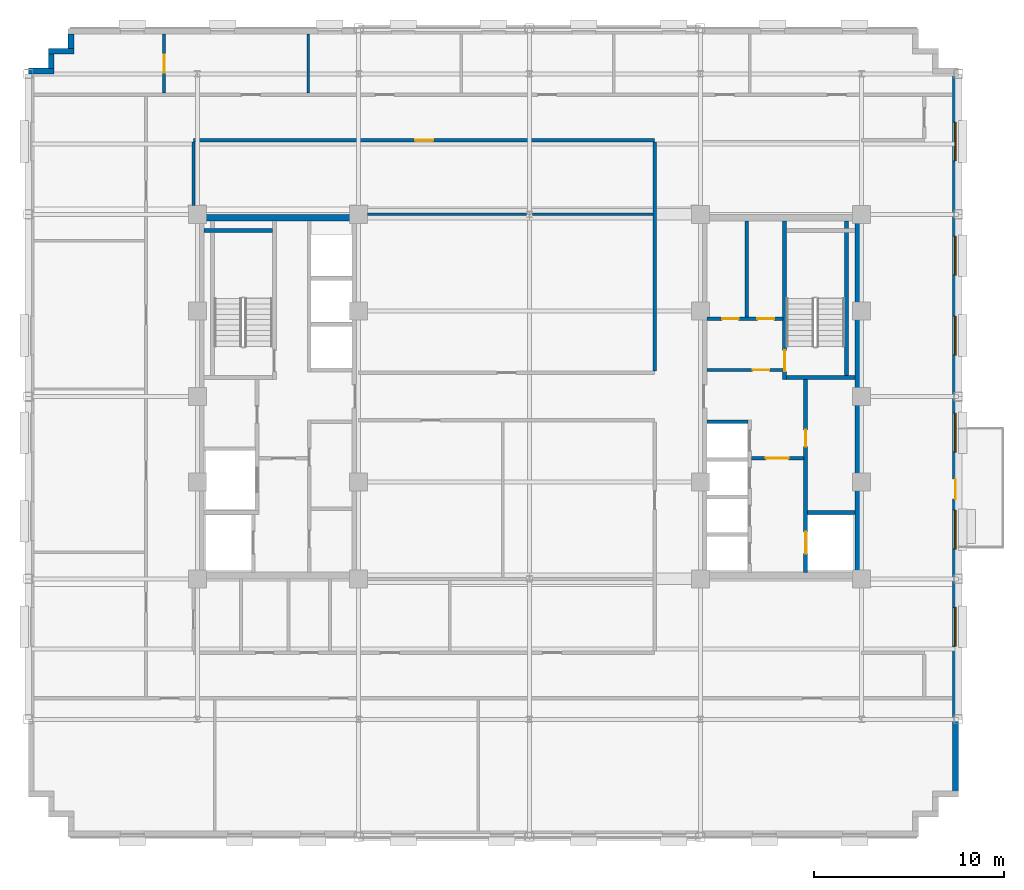
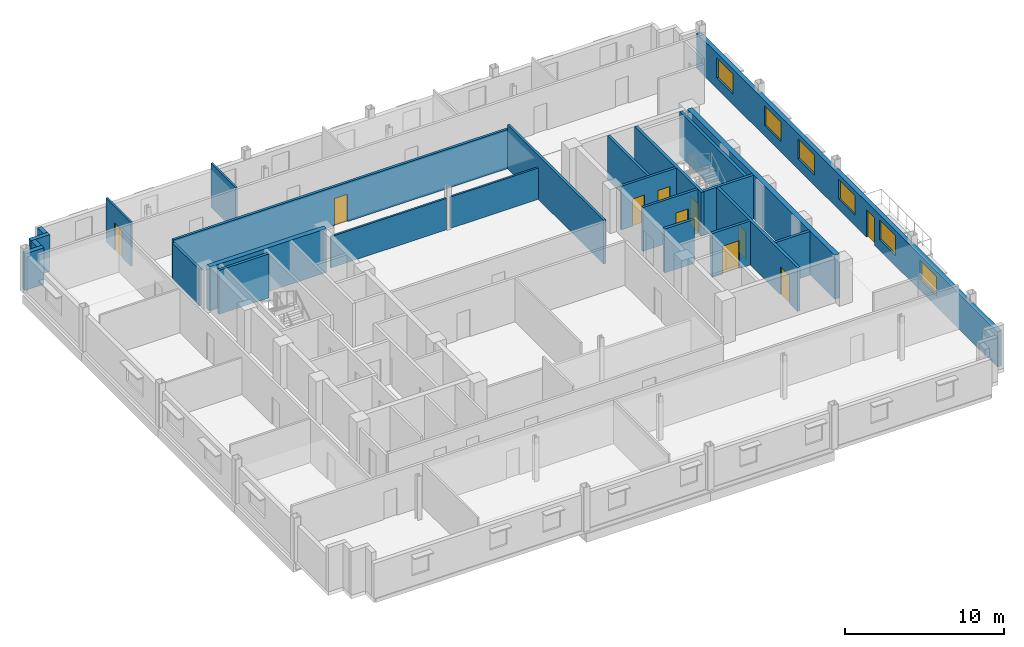
# One storey, part 9 of 15: 25 walls, 10 doors, 6 windows, 16 openings.
"""IFC4 building model written with IfcOpenShell, lengths in metres."""

from ifc_helpers import new_model, si_unit, direction, frame, frame_2d, origin, place, context, subcontext, project, spatial, rectangle, extrude, source, transform, mapped, material, layer, layer_set, type_object, type_shapes, element, fill, save


model = new_model("IFC4")

# Units and contexts
model_context = context("Model", 3, precision=1e-05, world=origin(), true_north=direction((0.0, 1.0)))
body_context = subcontext(model_context, "Body", "Model", "MODEL_VIEW")
ifc_project = project(units=[si_unit("LENGTHUNIT", "METRE"), si_unit("AREAUNIT", "SQUARE_METRE"), si_unit("VOLUMEUNIT", "CUBIC_METRE"), si_unit("PLANEANGLEUNIT", "RADIAN"), si_unit("MASSUNIT", "GRAM", prefix="KILO")], contexts=[model_context])

# Site, building, storey
site_placement = place(None, origin())
site = spatial("IfcSite", under=ifc_project, at=site_placement, CompositionType="ELEMENT")
building_placement = place(site_placement, origin())
building = spatial("IfcBuilding", under=site, at=building_placement, Name="Nuvemarco Arch Tower", CompositionType="ELEMENT")
storey_placement = place(building_placement, frame((0.0, 0.0, 201.85009765625)))
storey = spatial("IfcBuildingStorey", under=building, at=storey_placement, Name="L53", CompositionType="ELEMENT", Elevation=201.85009765625)

# Wall, openings, door, windows
ifc_material_1 = material(Name="Precast concrete C45/55", Category="concrete")
ifc_layer_1 = layer(ifc_material_1, 0.31005859375, Name="EW-UPP-310")
ifc_layer_set_1 = layer_set([ifc_layer_1], Name="Precast concrete C45/55")
wall_type_1 = type_object("IfcWallType", Name="EW-UPP-310", PredefinedType="STANDARD", material=ifc_layer_set_1)
wall_1_placement = place(storey_placement, frame((22.445068359375, -20.7939453125, 0.0), z_axis=(0.0, 0.0, 1.0), x_axis=(0.0, 1.0, 0.0)))
wall_1 = element("IfcWall", 1, at=wall_1_placement, inside=storey, type_object=wall_type_1, Name="L53 exterior precast facade wall 6", PredefinedType="STANDARD", context=body_context, shape_type="SweptSolid", body=[
    extrude(rectangle(XDim=37.787841796875, YDim=0.31005859375, at=frame_2d((18.89404296875, 0.0))), origin(), (0.0, 0.0, 1.0), 2.704833984375),
])
opening_1_placement = place(wall_1_placement, frame((16.444091796875, 0.0, 0.0), z_axis=(0.0, 0.0, 1.0), x_axis=(-1.0, 0.0, 0.0)))
opening_1 = element("IfcOpeningElement", 2, at=opening_1_placement, cuts=wall_1, Name="Opening ED-5", PredefinedType="OPENING", context=body_context, shape_type="SweptSolid", body=[
    extrude(rectangle(XDim=1.050048828125, YDim=2.10009765625, at=frame_2d((0.52490234375, 1.050048828125))), frame((0.0, 0.1650390625, 0.0), z_axis=(0.0, -1.0, 0.0), x_axis=(1.0, 0.0, 0.0)), (0.0, 0.0, 1.0), 0.330078125),
])
opening_2_placement = place(wall_1_placement, frame((7.643798828125, 0.0, 0.800048828125)))
opening_2 = element("IfcOpeningElement", 3, at=opening_2_placement, cuts=wall_1, Name="Opening WN-12", PredefinedType="OPENING", context=body_context, shape_type="SweptSolid", body=[
    extrude(rectangle(XDim=2.050048828125, YDim=1.52001953125, at=frame_2d((1.02490234375, 0.760009765625))), frame((0.0, 0.1650390625, 0.0), z_axis=(0.0, -1.0, 0.0), x_axis=(1.0, 0.0, 0.0)), (0.0, 0.0, 1.0), 0.330078125),
])
opening_3_placement = place(wall_1_placement, frame((12.75634765625, 0.0, 0.800048828125)))
opening_3 = element("IfcOpeningElement", 4, at=opening_3_placement, cuts=wall_1, Name="Opening WN-12", PredefinedType="OPENING", context=body_context, shape_type="SweptSolid", body=[
    extrude(rectangle(XDim=2.050048828125, YDim=1.52001953125, at=frame_2d((1.02490234375, 0.760009765625))), frame((0.0, 0.1650390625, 0.0), z_axis=(0.0, -1.0, 0.0), x_axis=(1.0, 0.0, 0.0)), (0.0, 0.0, 1.0), 0.330078125),
])
opening_4_placement = place(wall_1_placement, frame((17.868896484375, 0.0, 0.800048828125)))
opening_4 = element("IfcOpeningElement", 5, at=opening_4_placement, cuts=wall_1, Name="Opening WN-12", PredefinedType="OPENING", context=body_context, shape_type="SweptSolid", body=[
    extrude(rectangle(XDim=2.050048828125, YDim=1.52001953125, at=frame_2d((1.02490234375, 0.760009765625))), frame((0.0, 0.1650390625, 0.0), z_axis=(0.0, -1.0, 0.0), x_axis=(1.0, 0.0, 0.0)), (0.0, 0.0, 1.0), 0.330078125),
])
opening_5_placement = place(wall_1_placement, frame((22.981689453125, 0.0, 0.800048828125)))
opening_5 = element("IfcOpeningElement", 6, at=opening_5_placement, cuts=wall_1, Name="Opening WN-12", PredefinedType="OPENING", context=body_context, shape_type="SweptSolid", body=[
    extrude(rectangle(XDim=2.050048828125, YDim=1.52001953125, at=frame_2d((1.02490234375, 0.760009765625))), frame((0.0, 0.1650390625, 0.0), z_axis=(0.0, -1.0, 0.0), x_axis=(1.0, 0.0, 0.0)), (0.0, 0.0, 1.0), 0.330078125),
])
opening_6_placement = place(wall_1_placement, frame((27.194091796875, 0.0, 0.800048828125)))
opening_6 = element("IfcOpeningElement", 7, at=opening_6_placement, cuts=wall_1, Name="Opening WN-12", PredefinedType="OPENING", context=body_context, shape_type="SweptSolid", body=[
    extrude(rectangle(XDim=2.050048828125, YDim=1.52001953125, at=frame_2d((1.02490234375, 0.760009765625))), frame((0.0, 0.1650390625, 0.0), z_axis=(0.0, -1.0, 0.0), x_axis=(1.0, 0.0, 0.0)), (0.0, 0.0, 1.0), 0.330078125),
])
opening_7_placement = place(wall_1_placement, frame((33.206787109375, 0.0, 0.800048828125)))
opening_7 = element("IfcOpeningElement", 8, at=opening_7_placement, cuts=wall_1, Name="Opening WN-12", PredefinedType="OPENING", context=body_context, shape_type="SweptSolid", body=[
    extrude(rectangle(XDim=2.050048828125, YDim=1.52001953125, at=frame_2d((1.02490234375, 0.760009765625))), frame((0.0, 0.1650390625, 0.0), z_axis=(0.0, -1.0, 0.0), x_axis=(1.0, 0.0, 0.0)), (0.0, 0.0, 1.0), 0.330078125),
])
ifc_material_2 = material(Name="Anodised bronze and laminated glass", Category="glass")
door_type_1 = type_object("IfcDoorType", Name="DR-EXT-TERR", OperationType="NOTDEFINED", PredefinedType="DOOR", material=ifc_material_2)
shared_shape_1 = source(origin(), body_context, "Body", "SweptSolid", [
    extrude(rectangle(XDim=1.050048828125, YDim=2.10009765625, at=frame_2d((0.52490234375, 1.050048828125))), frame((0.0, 0.02490234375, 0.0), z_axis=(0.0, -1.0, 0.0), x_axis=(1.0, 0.0, 0.0)), (0.0, 0.0, 1.0), 0.050048828125),
])
type_shapes(door_type_1, [shared_shape_1])
door_1_placement = place(opening_1_placement, origin())
door_1 = element("IfcDoor", 9, at=door_1_placement, inside=storey, type_object=door_type_1, Name="L53 spiral terrace access door", OperationType="SINGLE_SWING_LEFT", OverallHeight=2.10009765625, OverallWidth=1.050048828125, PredefinedType="DOOR", context=body_context, shape_type="MappedRepresentation", body=[
    mapped(shared_shape_1, transform((0.0, 0.0, 0.0), scale=1.0)),
])
fill(opening_1, door_1)
ifc_material_3 = material(Name="Insulated solar-control glass", Category="glass")
window_type = type_object("IfcWindowType", Name="WN-SET-2050x1520", PartitioningType="DOUBLE_PANEL_VERTICAL", PredefinedType="WINDOW", material=ifc_material_3)
shared_shape_2 = source(origin(), body_context, "Body", "SweptSolid", [
    extrude(rectangle(XDim=2.050048828125, YDim=1.52001953125, at=frame_2d((1.02490234375, 0.760009765625))), frame((0.0, 0.030029296875, 0.0), z_axis=(0.0, -1.0, 0.0), x_axis=(1.0, 0.0, 0.0)), (0.0, 0.0, 1.0), 0.06005859375),
])
type_shapes(window_type, [shared_shape_2])
window_1_placement = place(opening_2_placement, origin())
window_1 = element("IfcWindow", 10, at=window_1_placement, inside=storey, type_object=window_type, Name="L53 punched facade window 2", OverallHeight=1.52001953125, OverallWidth=2.050048828125, PartitioningType="SINGLE_PANEL", PredefinedType="WINDOW", context=body_context, shape_type="MappedRepresentation", body=[
    mapped(shared_shape_2, transform((0.0, 0.0, 0.0), scale=1.0)),
])
fill(opening_2, window_1)
window_2_placement = place(opening_3_placement, origin())
window_2 = element("IfcWindow", 11, at=window_2_placement, inside=storey, type_object=window_type, Name="L53 punched facade window 3", OverallHeight=1.52001953125, OverallWidth=2.050048828125, PartitioningType="SINGLE_PANEL", PredefinedType="WINDOW", context=body_context, shape_type="MappedRepresentation", body=[
    mapped(shared_shape_2, transform((0.0, 0.0, 0.0), scale=1.0)),
])
fill(opening_3, window_2)
window_3_placement = place(opening_4_placement, origin())
window_3 = element("IfcWindow", 12, at=window_3_placement, inside=storey, type_object=window_type, Name="L53 punched facade window 4", OverallHeight=1.52001953125, OverallWidth=2.050048828125, PartitioningType="SINGLE_PANEL", PredefinedType="WINDOW", context=body_context, shape_type="MappedRepresentation", body=[
    mapped(shared_shape_2, transform((0.0, 0.0, 0.0), scale=1.0)),
])
fill(opening_4, window_3)
window_4_placement = place(opening_5_placement, origin())
window_4 = element("IfcWindow", 13, at=window_4_placement, inside=storey, type_object=window_type, Name="L53 punched facade window 5", OverallHeight=1.52001953125, OverallWidth=2.050048828125, PartitioningType="SINGLE_PANEL", PredefinedType="WINDOW", context=body_context, shape_type="MappedRepresentation", body=[
    mapped(shared_shape_2, transform((0.0, 0.0, 0.0), scale=1.0)),
])
fill(opening_5, window_4)
window_5_placement = place(opening_6_placement, origin())
window_5 = element("IfcWindow", 14, at=window_5_placement, inside=storey, type_object=window_type, Name="L53 punched facade window 6", OverallHeight=1.52001953125, OverallWidth=2.050048828125, PartitioningType="SINGLE_PANEL", PredefinedType="WINDOW", context=body_context, shape_type="MappedRepresentation", body=[
    mapped(shared_shape_2, transform((0.0, 0.0, 0.0), scale=1.0)),
])
fill(opening_6, window_5)
window_6_placement = place(opening_7_placement, origin())
window_6 = element("IfcWindow", 15, at=window_6_placement, inside=storey, type_object=window_type, Name="L53 punched facade window 7", OverallHeight=1.52001953125, OverallWidth=2.050048828125, PartitioningType="SINGLE_PANEL", PredefinedType="WINDOW", context=body_context, shape_type="MappedRepresentation", body=[
    mapped(shared_shape_2, transform((0.0, 0.0, 0.0), scale=1.0)),
])
fill(opening_7, window_6)

# Walls
wall_2_placement = place(storey_placement, frame((-24.14501953125, 18.345947265625, 0.0), z_axis=(0.0, 0.0, 1.0), x_axis=(0.0, 1.0, 0.0)))
element("IfcWall", 16, at=wall_2_placement, inside=storey, type_object=wall_type_1, Name="L53 exterior precast facade wall 12", PredefinedType="STANDARD", context=body_context, shape_type="SweptSolid", body=[
    extrude(rectangle(XDim=0.748046875, YDim=0.31005859375, at=frame_2d((0.3740234375, 0.0))), origin(), (0.0, 0.0, 1.0), 2.81591796875),
])
wall_3_placement = place(storey_placement, frame((-25.35009765625, 18.195068359375, 0.0), z_axis=(0.0, 0.0, 1.0), x_axis=(1.0, 0.0, 0.0)))
element("IfcWall", 17, at=wall_3_placement, inside=storey, type_object=wall_type_1, Name="L53 exterior precast facade wall 13", PredefinedType="STANDARD", context=body_context, shape_type="SweptSolid", body=[
    extrude(rectangle(XDim=1.360107421875, YDim=0.31005859375, at=frame_2d((0.68017578125, 0.0))), origin(), (0.0, 0.0, 1.0), 2.81591796875),
])
wall_4_placement = place(storey_placement, frame((-25.195068359375, 17.2958984375, 0.0), z_axis=(0.0, 0.0, 1.0), x_axis=(0.0, 1.0, 0.0)))
element("IfcWall", 18, at=wall_4_placement, inside=storey, type_object=wall_type_1, Name="L53 exterior precast facade wall 14", PredefinedType="STANDARD", context=body_context, shape_type="SweptSolid", body=[
    extrude(rectangle(XDim=0.748046875, YDim=0.31005859375, at=frame_2d((0.3740234375, 0.0))), origin(), (0.0, 0.0, 1.0), 2.81591796875),
])
wall_5_placement = place(storey_placement, frame((-26.39990234375, 17.14501953125, 0.0), z_axis=(0.0, 0.0, 1.0), x_axis=(1.0, 0.0, 0.0)))
element("IfcWall", 19, at=wall_5_placement, inside=storey, type_object=wall_type_1, Name="L53 exterior precast facade wall 15", PredefinedType="STANDARD", context=body_context, shape_type="SweptSolid", body=[
    extrude(rectangle(XDim=1.35986328125, YDim=0.31005859375, at=frame_2d((0.679931640625, 0.0))), origin(), (0.0, 0.0, 1.0), 2.81591796875),
])
ifc_material_4 = material(Name="Concrete C50/60", Category="concrete")
ifc_layer_2 = layer(ifc_material_4, 0.35009765625, Name="WL-CORE-350")
ifc_layer_set_2 = layer_set([ifc_layer_2], Name="Concrete C50/60")
wall_type_2 = type_object("IfcWallType", Name="WL-CORE-350", PredefinedType="SHEAR", material=ifc_layer_set_2)
wall_6_placement = place(storey_placement, frame((-17.5, 9.425048828125, 0.0), z_axis=(0.0, 0.0, 1.0), x_axis=(1.0, 0.0, 0.0)))
element("IfcWall", 20, at=wall_6_placement, inside=storey, type_object=wall_type_2, Name="L53 W-core shear wall N", PredefinedType="SHEAR", context=body_context, shape_type="SweptSolid", body=[
    extrude(rectangle(XDim=8.5, YDim=0.35009765625, at=frame_2d((4.25, 0.0))), origin(), (0.0, 0.0, 1.0), 3.369873046875),
])
wall_7_placement = place(storey_placement, frame((17.324951171875, -9.2548828125, 0.0), z_axis=(0.0, 0.0, 1.0), x_axis=(0.0, 1.0, 0.0)))
element("IfcWall", 21, at=wall_7_placement, inside=storey, type_object=wall_type_2, Name="L53 E-core shear wall E", PredefinedType="SHEAR", context=body_context, shape_type="SweptSolid", body=[
    extrude(rectangle(XDim=18.509765625, YDim=0.35009765625, at=frame_2d((9.2548828125, 0.0))), origin(), (0.0, 0.0, 1.0), 3.369873046875),
])

# Wall, opening, door
ifc_material_5 = material(Name="Fire-rated gypsum drywall partition")
ifc_layer_3 = layer(ifc_material_5, 0.179931640625, Name="WL-CORR-180")
ifc_layer_set_3 = layer_set([ifc_layer_3], Name="Fire-rated gypsum drywall partition")
wall_type_3 = type_object("IfcWallType", Name="WL-CORR-180", PredefinedType="PARTITIONING", material=ifc_layer_set_3)
wall_8_placement = place(storey_placement, frame((9.344970703125, 1.39990234375, 0.0), z_axis=(0.0, 0.0, 1.0), x_axis=(1.0, 0.0, 0.0)))
wall_8 = element("IfcWall", 22, at=wall_8_placement, inside=storey, type_object=wall_type_3, Name="L53 interior wall IW-L53-EK-S", PredefinedType="PARTITIONING", context=body_context, shape_type="SweptSolid", body=[
    extrude(rectangle(XDim=4.0, YDim=0.179931640625, at=frame_2d((2.0, 0.0))), origin(), (0.0, 0.0, 1.0), 3.35986328125),
])
opening_8_placement = place(wall_8_placement, frame((2.4150390625, 0.0, 0.0)))
opening_8 = element("IfcOpeningElement", 23, at=opening_8_placement, cuts=wall_8, Name="Opening FD-4", PredefinedType="OPENING", context=body_context, shape_type="SweptSolid", body=[
    extrude(rectangle(XDim=0.8798828125, YDim=2.10009765625, at=frame_2d((0.43994140625, 1.050048828125))), frame((0.0, 0.099853515625, 0.0), z_axis=(0.0, -1.0, 0.0), x_axis=(1.0, 0.0, 0.0)), (0.0, 0.0, 1.0), 0.199951171875),
])
ifc_material_6 = material(Name="Anodised steel fire door", Category="steel")
door_type_2 = type_object("IfcDoorType", Name="DR-RISER-FD", OperationType="NOTDEFINED", PredefinedType="DOOR", material=ifc_material_6)
shared_shape_3 = source(origin(), body_context, "Body", "SweptSolid", [
    extrude(rectangle(XDim=0.8798828125, YDim=2.10009765625, at=frame_2d((0.43994140625, 1.050048828125))), frame((0.0, 0.02490234375, 0.0), z_axis=(0.0, -1.0, 0.0), x_axis=(1.0, 0.0, 0.0)), (0.0, 0.0, 1.0), 0.050048828125),
])
type_shapes(door_type_2, [shared_shape_3])
door_2_placement = place(opening_8_placement, origin())
door_2 = element("IfcDoor", 24, at=door_2_placement, inside=storey, type_object=door_type_2, Name="L53 door FD-L53-EK3A", OperationType="SINGLE_SWING_LEFT", OverallHeight=2.10009765625, OverallWidth=0.8798828125, PredefinedType="DOOR", context=body_context, shape_type="MappedRepresentation", body=[
    mapped(shared_shape_3, transform((0.0, 0.0, 0.0), scale=1.0)),
])
fill(opening_8, door_2)

# Wall, openings, doors
wall_9_placement = place(storey_placement, frame((9.344970703125, 4.10009765625, 0.0), z_axis=(0.0, 0.0, 1.0), x_axis=(1.0, 0.0, 0.0)))
wall_9 = element("IfcWall", 25, at=wall_9_placement, inside=storey, type_object=wall_type_3, Name="L53 interior wall IW-L53-EK3H", PredefinedType="PARTITIONING", context=body_context, shape_type="SweptSolid", body=[
    extrude(rectangle(XDim=4.0, YDim=0.179931640625, at=frame_2d((2.0, 0.0))), origin(), (0.0, 0.0, 1.0), 3.35986328125),
])
opening_9_placement = place(wall_9_placement, frame((0.800048828125, 0.0, 0.0)))
opening_9 = element("IfcOpeningElement", 26, at=opening_9_placement, cuts=wall_9, Name="Opening FD-4", PredefinedType="OPENING", context=body_context, shape_type="SweptSolid", body=[
    extrude(rectangle(XDim=0.8798828125, YDim=2.10009765625, at=frame_2d((0.43994140625, 1.050048828125))), frame((0.0, 0.099853515625, 0.0), z_axis=(0.0, -1.0, 0.0), x_axis=(1.0, 0.0, 0.0)), (0.0, 0.0, 1.0), 0.199951171875),
])
opening_10_placement = place(wall_9_placement, frame((2.6650390625, 0.0, 0.0)))
opening_10 = element("IfcOpeningElement", 27, at=opening_10_placement, cuts=wall_9, Name="Opening FD-4", PredefinedType="OPENING", context=body_context, shape_type="SweptSolid", body=[
    extrude(rectangle(XDim=0.8798828125, YDim=2.10009765625, at=frame_2d((0.43994140625, 1.050048828125))), frame((0.0, 0.099853515625, 0.0), z_axis=(0.0, -1.0, 0.0), x_axis=(1.0, 0.0, 0.0)), (0.0, 0.0, 1.0), 0.199951171875),
])
door_3_placement = place(opening_9_placement, origin())
door_3 = element("IfcDoor", 28, at=door_3_placement, inside=storey, type_object=door_type_2, Name="L53 door FD-L53-EK3B", OperationType="SINGLE_SWING_RIGHT", OverallHeight=2.10009765625, OverallWidth=0.8798828125, PredefinedType="DOOR", context=body_context, shape_type="MappedRepresentation", body=[
    mapped(shared_shape_3, transform((0.0, 0.0, 0.0), scale=1.0)),
])
fill(opening_9, door_3)
door_4_placement = place(opening_10_placement, origin())
door_4 = element("IfcDoor", 29, at=door_4_placement, inside=storey, type_object=door_type_2, Name="L53 door FD-L53-EK3C", OperationType="SINGLE_SWING_LEFT", OverallHeight=2.10009765625, OverallWidth=0.8798828125, PredefinedType="DOOR", context=body_context, shape_type="MappedRepresentation", body=[
    mapped(shared_shape_3, transform((0.0, 0.0, 0.0), scale=1.0)),
])
fill(opening_10, door_4)

# Wall
wall_10_placement = place(storey_placement, frame((11.449951171875, 4.18994140625, 0.0), z_axis=(0.0, 0.0, 1.0), x_axis=(0.0, 1.0, 0.0)))
element("IfcWall", 30, at=wall_10_placement, inside=storey, type_object=wall_type_3, Name="L53 interior wall IW-L53-EK3V", PredefinedType="PARTITIONING", context=body_context, shape_type="SweptSolid", body=[
    extrude(rectangle(XDim=5.06494140625, YDim=0.179931640625, at=frame_2d((2.532470703125, 0.0))), origin(), (0.0, 0.0, 1.0), 3.35986328125),
])

# Wall, opening, door
wall_11_placement = place(storey_placement, frame((-17.699951171875, 13.5, 0.0), z_axis=(0.0, 0.0, 1.0), x_axis=(1.0, 0.0, 0.0)))
wall_11 = element("IfcWall", 31, at=wall_11_placement, inside=storey, type_object=wall_type_3, Name="L53 interior wall IW-L53-013", PredefinedType="PARTITIONING", context=body_context, shape_type="SweptSolid", body=[
    extrude(rectangle(XDim=24.300048828125, YDim=0.179931640625, at=frame_2d((12.14990234375, 0.0))), origin(), (0.0, 0.0, 1.0), 3.0078125),
])
opening_11_placement = place(wall_11_placement, frame((11.669921875, 0.0, 0.0)))
opening_11 = element("IfcOpeningElement", 32, at=opening_11_placement, cuts=wall_11, Name="Opening FD-5", PredefinedType="OPENING", context=body_context, shape_type="SweptSolid", body=[
    extrude(rectangle(XDim=0.9599609375, YDim=2.10009765625, at=frame_2d((0.47998046875, 1.050048828125))), frame((0.0, 0.099853515625, 0.0), z_axis=(0.0, -1.0, 0.0), x_axis=(1.0, 0.0, 0.0)), (0.0, 0.0, 1.0), 0.199951171875),
])
ifc_material_7 = material(Name="Timber fire door", Category="wood")
door_type_3 = type_object("IfcDoorType", Name="DR-CORR-FD", OperationType="NOTDEFINED", PredefinedType="DOOR", material=ifc_material_7)
shared_shape_4 = source(origin(), body_context, "Body", "SweptSolid", [
    extrude(rectangle(XDim=0.9599609375, YDim=2.10009765625, at=frame_2d((0.47998046875, 1.050048828125))), frame((0.0, 0.02490234375, 0.0), z_axis=(0.0, -1.0, 0.0), x_axis=(1.0, 0.0, 0.0)), (0.0, 0.0, 1.0), 0.050048828125),
])
type_shapes(door_type_3, [shared_shape_4])
door_5_placement = place(opening_11_placement, origin())
door_5 = element("IfcDoor", 33, at=door_5_placement, inside=storey, type_object=door_type_3, Name="L53 door DR-L53-IN_N1", OperationType="SINGLE_SWING_RIGHT", OverallHeight=2.10009765625, OverallWidth=0.9599609375, PredefinedType="DOOR", context=body_context, shape_type="MappedRepresentation", body=[
    mapped(shared_shape_4, transform((0.0, 0.0, 0.0), scale=1.0)),
])
fill(opening_11, door_5)

# Walls
wall_12_placement = place(storey_placement, frame((-17.699951171875, 10.071044921875, 0.0), z_axis=(0.0, 0.0, 1.0), x_axis=(0.0, 1.0, 0.0)))
element("IfcWall", 34, at=wall_12_placement, inside=storey, type_object=wall_type_3, Name="L53 interior wall IW-L53-019", PredefinedType="PARTITIONING", context=body_context, shape_type="SweptSolid", body=[
    extrude(rectangle(XDim=3.343017578125, YDim=0.179931640625, at=frame_2d((1.67138671875, 0.0))), origin(), (0.0, 0.0, 1.0), 2.81591796875),
])
wall_13_placement = place(storey_placement, frame((6.60009765625, 1.3359375, 0.0), z_axis=(0.0, 0.0, 1.0), x_axis=(0.0, 1.0, 0.0)))
element("IfcWall", 35, at=wall_13_placement, inside=storey, type_object=wall_type_3, Name="L53 interior wall IW-L53-031", PredefinedType="PARTITIONING", context=body_context, shape_type="SweptSolid", body=[
    extrude(rectangle(XDim=12.078125, YDim=0.179931640625, at=frame_2d((6.0390625, 0.0))), origin(), (0.0, 0.0, 1.0), 3.35986328125),
])
ifc_material_8 = material(Name="Gypsum plasterboard partition")
ifc_layer_4 = layer(ifc_material_8, 0.139892578125, Name="WL-ROOM-140")
ifc_layer_set_4 = layer_set([ifc_layer_4], Name="Gypsum plasterboard partition")
wall_type_4 = type_object("IfcWallType", Name="WL-ROOM-140", PredefinedType="PARTITIONING", material=ifc_layer_set_4)
wall_14_placement = place(storey_placement, frame((-8.529052734375, 9.60009765625, 0.0), z_axis=(0.0, 0.0, 1.0), x_axis=(1.0, 0.0, 0.0)))
element("IfcWall", 36, at=wall_14_placement, inside=storey, type_object=wall_type_4, Name="L53 interior wall IW-L53-011", PredefinedType="PARTITIONING", context=body_context, shape_type="SweptSolid", body=[
    extrude(rectangle(XDim=8.378173828125, YDim=0.139892578125, at=frame_2d((4.18896484375, 0.0))), origin(), (0.0, 0.0, 1.0), 2.40478515625),
])
wall_15_placement = place(storey_placement, frame((0.15087890625, 9.60009765625, 0.0), z_axis=(0.0, 0.0, 1.0), x_axis=(1.0, 0.0, 0.0)))
element("IfcWall", 37, at=wall_15_placement, inside=storey, type_object=wall_type_4, Name="L53 interior wall IW-L53-012", PredefinedType="PARTITIONING", context=body_context, shape_type="SweptSolid", body=[
    extrude(rectangle(XDim=6.363037109375, YDim=0.139892578125, at=frame_2d((3.181640625, 0.0))), origin(), (0.0, 0.0, 1.0), 2.40478515625),
])

# Wall, opening, door
wall_16_placement = place(storey_placement, frame((-19.25, 15.986083984375, 0.0), z_axis=(0.0, 0.0, 1.0), x_axis=(0.0, 1.0, 0.0)))
wall_16 = element("IfcWall", 38, at=wall_16_placement, inside=storey, type_object=wall_type_4, Name="L53 interior wall IW-L53-017", PredefinedType="PARTITIONING", context=body_context, shape_type="SweptSolid", body=[
    extrude(rectangle(XDim=3.10400390625, YDim=0.139892578125, at=frame_2d((1.552001953125, 0.0))), origin(), (0.0, 0.0, 1.0), 3.35986328125),
])
opening_12_placement = place(wall_16_placement, frame((1.08203125, 0.0, 0.0)))
opening_12 = element("IfcOpeningElement", 39, at=opening_12_placement, cuts=wall_16, Name="Opening ID-1", PredefinedType="OPENING", context=body_context, shape_type="SweptSolid", body=[
    extrude(rectangle(XDim=0.93994140625, YDim=2.10009765625, at=frame_2d((0.469970703125, 1.050048828125))), frame((0.0, 0.079833984375, 0.0), z_axis=(0.0, -1.0, 0.0), x_axis=(1.0, 0.0, 0.0)), (0.0, 0.0, 1.0), 0.159912109375),
])
ifc_material_9 = material(Name="Veneered oak timber door", Category="wood")
door_type_4 = type_object("IfcDoorType", Name="DR-OFFICE-1", OperationType="NOTDEFINED", PredefinedType="DOOR", material=ifc_material_9)
shared_shape_5 = source(origin(), body_context, "Body", "SweptSolid", [
    extrude(rectangle(XDim=0.93994140625, YDim=2.10009765625, at=frame_2d((0.469970703125, 1.050048828125))), frame((0.0, 0.02490234375, 0.0), z_axis=(0.0, -1.0, 0.0), x_axis=(1.0, 0.0, 0.0)), (0.0, 0.0, 1.0), 0.050048828125),
])
type_shapes(door_type_4, [shared_shape_5])
door_6_placement = place(opening_12_placement, origin())
door_6 = element("IfcDoor", 40, at=door_6_placement, inside=storey, type_object=door_type_4, Name="L53 door DR-L53-N_1", OperationType="SINGLE_SWING_RIGHT", OverallHeight=2.10009765625, OverallWidth=0.93994140625, PredefinedType="DOOR", context=body_context, shape_type="MappedRepresentation", body=[
    mapped(shared_shape_5, transform((0.0, 0.0, 0.0), scale=1.0)),
])
fill(opening_12, door_6)

# Walls
wall_17_placement = place(storey_placement, frame((-11.64990234375, 15.986083984375, 0.0), z_axis=(0.0, 0.0, 1.0), x_axis=(0.0, 1.0, 0.0)))
element("IfcWall", 41, at=wall_17_placement, inside=storey, type_object=wall_type_4, Name="L53 interior wall IW-L53-023", PredefinedType="PARTITIONING", context=body_context, shape_type="SweptSolid", body=[
    extrude(rectangle(XDim=3.10400390625, YDim=0.139892578125, at=frame_2d((1.552001953125, 0.0))), origin(), (0.0, 0.0, 1.0), 3.35986328125),
])
ifc_layer_5 = layer(ifc_material_4, 0.199951171875, Name="WL-SHAFT-220")
ifc_layer_set_5 = layer_set([ifc_layer_5], Name="Concrete C50/60")
wall_type_5 = type_object("IfcWallType", Name="WL-SHAFT-220", PredefinedType="SHEAR", material=ifc_layer_set_5)
wall_18_placement = place(storey_placement, frame((-17.155029296875, 8.75, 0.0), z_axis=(0.0, 0.0, 1.0), x_axis=(1.0, 0.0, 0.0)))
element("IfcWall", 42, at=wall_18_placement, inside=storey, type_object=wall_type_5, Name="L53 structural shaft wall SW-L53-W-ST1N", PredefinedType="SHEAR", context=body_context, shape_type="SweptSolid", body=[
    extrude(rectangle(XDim=3.6201171875, YDim=0.199951171875, at=frame_2d((1.81005859375, 0.0))), origin(), (0.0, 0.0, 1.0), 3.369873046875),
])

# Wall, opening, door
wall_19_placement = place(storey_placement, frame((13.43994140625, 0.89990234375, 0.0), z_axis=(0.0, 0.0, 1.0), x_axis=(0.0, 1.0, 0.0)))
wall_19 = element("IfcWall", 43, at=wall_19_placement, inside=storey, type_object=wall_type_5, Name="L53 structural shaft wall SW-L53-E-ST2W", PredefinedType="SHEAR", context=body_context, shape_type="SweptSolid", body=[
    extrude(rectangle(XDim=8.35498046875, YDim=0.199951171875, at=frame_2d((4.177490234375, 0.0))), origin(), (0.0, 0.0, 1.0), 3.369873046875),
])
opening_13_placement = place(wall_19_placement, frame((0.429931640625, 0.0, 0.0)))
opening_13 = element("IfcOpeningElement", 44, at=opening_13_placement, cuts=wall_19, Name="Opening FD-1", PredefinedType="OPENING", context=body_context, shape_type="SweptSolid", body=[
    extrude(rectangle(XDim=1.10009765625, YDim=2.14990234375, at=frame_2d((0.550048828125, 1.074951171875))), frame((0.0, 0.10986328125, 0.0), z_axis=(0.0, -1.0, 0.0), x_axis=(1.0, 0.0, 0.0)), (0.0, 0.0, 1.0), 0.219970703125),
])
door_type_5 = type_object("IfcDoorType", Name="DR-STAIR-FD", OperationType="NOTDEFINED", PredefinedType="DOOR", material=ifc_material_6)
shared_shape_6 = source(origin(), body_context, "Body", "SweptSolid", [
    extrude(rectangle(XDim=1.10009765625, YDim=2.14990234375, at=frame_2d((0.550048828125, 1.074951171875))), frame((0.0, 0.02490234375, 0.0), z_axis=(0.0, -1.0, 0.0), x_axis=(1.0, 0.0, 0.0)), (0.0, 0.0, 1.0), 0.050048828125),
])
type_shapes(door_type_5, [shared_shape_6])
door_7_placement = place(opening_13_placement, origin())
door_7 = element("IfcDoor", 45, at=door_7_placement, inside=storey, type_object=door_type_5, Name="L53 door FD-L53-ST2", OperationType="SINGLE_SWING_RIGHT", OverallHeight=2.14990234375, OverallWidth=1.10009765625, PredefinedType="DOOR", context=body_context, shape_type="MappedRepresentation", body=[
    mapped(shared_shape_6, transform((0.0, 0.0, 0.0), scale=1.0)),
])
fill(opening_13, door_7)

# Walls
wall_20_placement = place(storey_placement, frame((13.534912109375, 1.0, 0.0), z_axis=(0.0, 0.0, 1.0), x_axis=(1.0, 0.0, 0.0)))
element("IfcWall", 46, at=wall_20_placement, inside=storey, type_object=wall_type_5, Name="L53 structural shaft wall SW-L53-E-ST2S", PredefinedType="SHEAR", context=body_context, shape_type="SweptSolid", body=[
    extrude(rectangle(XDim=3.6201171875, YDim=0.199951171875, at=frame_2d((1.81005859375, 0.0))), origin(), (0.0, 0.0, 1.0), 3.369873046875),
])
wall_21_placement = place(storey_placement, frame((16.699951171875, 1.094970703125, 0.0), z_axis=(0.0, 0.0, 1.0), x_axis=(0.0, 1.0, 0.0)))
element("IfcWall", 47, at=wall_21_placement, inside=storey, type_object=wall_type_5, Name="L53 structural shaft wall SW-L53-E-ST2E", PredefinedType="SHEAR", context=body_context, shape_type="SweptSolid", body=[
    extrude(rectangle(XDim=8.159912109375, YDim=0.199951171875, at=frame_2d((4.080078125, 0.0))), origin(), (0.0, 0.0, 1.0), 3.369873046875),
])

# Wall, openings, doors
wall_22_placement = place(storey_placement, frame((14.550048828125, -9.2548828125, 0.0), z_axis=(0.0, 0.0, 1.0), x_axis=(0.0, 1.0, 0.0)))
wall_22 = element("IfcWall", 48, at=wall_22_placement, inside=storey, type_object=wall_type_5, Name="L53 structural shaft wall SW-L53-E-SHW", PredefinedType="SHEAR", context=body_context, shape_type="SweptSolid", body=[
    extrude(rectangle(XDim=10.159912109375, YDim=0.199951171875, at=frame_2d((5.080078125, 0.0))), origin(), (0.0, 0.0, 1.0), 3.369873046875),
])
opening_14_placement = place(wall_22_placement, frame((6.614990234375, 0.0, 0.0)))
opening_14 = element("IfcOpeningElement", 49, at=opening_14_placement, cuts=wall_22, Name="Opening FD-4", PredefinedType="OPENING", context=body_context, shape_type="SweptSolid", body=[
    extrude(rectangle(XDim=0.8798828125, YDim=2.10009765625, at=frame_2d((0.43994140625, 1.050048828125))), frame((0.0, 0.10986328125, 0.0), z_axis=(0.0, -1.0, 0.0), x_axis=(1.0, 0.0, 0.0)), (0.0, 0.0, 1.0), 0.219970703125),
])
opening_15_placement = place(wall_22_placement, frame((0.97998046875, 0.0, 0.0)))
opening_15 = element("IfcOpeningElement", 50, at=opening_15_placement, cuts=wall_22, Name="Opening LD-2", PredefinedType="OPENING", context=body_context, shape_type="SweptSolid", body=[
    extrude(rectangle(XDim=1.14990234375, YDim=2.14990234375, at=frame_2d((0.574951171875, 1.074951171875))), frame((0.0, 0.10986328125, 0.0), z_axis=(0.0, -1.0, 0.0), x_axis=(1.0, 0.0, 0.0)), (0.0, 0.0, 1.0), 0.219970703125),
])
door_8_placement = place(opening_14_placement, origin())
door_8 = element("IfcDoor", 51, at=door_8_placement, inside=storey, type_object=door_type_2, Name="L53 door FD-L53-ERIS", OperationType="SINGLE_SWING_RIGHT", OverallHeight=2.10009765625, OverallWidth=0.8798828125, PredefinedType="DOOR", context=body_context, shape_type="MappedRepresentation", body=[
    mapped(shared_shape_3, transform((0.0, 0.0, 0.0), scale=1.0)),
])
fill(opening_14, door_8)
ifc_material_10 = material(Name="Stainless steel lift door", Category="steel")
door_type_6 = type_object("IfcDoorType", Name="DR-LIFT-FIRE", OperationType="DOUBLE_DOOR_SLIDING", PredefinedType="DOOR", material=ifc_material_10)
shared_shape_7 = source(origin(), body_context, "Body", "SweptSolid", [
    extrude(rectangle(XDim=1.14990234375, YDim=2.14990234375, at=frame_2d((0.574951171875, 1.074951171875))), frame((0.0, 0.02490234375, 0.0), z_axis=(0.0, -1.0, 0.0), x_axis=(1.0, 0.0, 0.0)), (0.0, 0.0, 1.0), 0.050048828125),
])
type_shapes(door_type_6, [shared_shape_7])
door_9_placement = place(opening_15_placement, origin())
door_9 = element("IfcDoor", 52, at=door_9_placement, inside=storey, type_object=door_type_6, Name="L53 Lift landing sliding door FFL-2", OperationType="DOUBLE_DOOR_SLIDING", OverallHeight=2.14990234375, OverallWidth=1.14990234375, PredefinedType="DOOR", context=body_context, shape_type="MappedRepresentation", body=[
    mapped(shared_shape_7, transform((0.0, 0.0, 0.0), scale=1.0)),
])
fill(opening_15, door_9)

# Wall
wall_23_placement = place(storey_placement, frame((14.64501953125, -6.10009765625, 0.0), z_axis=(0.0, 0.0, 1.0), x_axis=(1.0, 0.0, 0.0)))
element("IfcWall", 53, at=wall_23_placement, inside=storey, type_object=wall_type_5, Name="L53 structural shaft wall SW-L53-E-SH1", PredefinedType="SHEAR", context=body_context, shape_type="SweptSolid", body=[
    extrude(rectangle(XDim=2.510009765625, YDim=0.199951171875, at=frame_2d((1.2548828125, 0.0))), origin(), (0.0, 0.0, 1.0), 3.369873046875),
])

# Wall, opening, door
wall_24_placement = place(storey_placement, frame((11.695068359375, -3.25, 0.0), z_axis=(0.0, 0.0, 1.0), x_axis=(1.0, 0.0, 0.0)))
wall_24 = element("IfcWall", 54, at=wall_24_placement, inside=storey, type_object=wall_type_5, Name="L53 structural shaft wall SW-L53-E-FFN", PredefinedType="SHEAR", context=body_context, shape_type="SweptSolid", body=[
    extrude(rectangle(XDim=2.760009765625, YDim=0.199951171875, at=frame_2d((1.3798828125, 0.0))), origin(), (0.0, 0.0, 1.0), 3.369873046875),
])
opening_16_placement = place(wall_24_placement, frame((0.7548828125, 0.0, 0.0)))
opening_16 = element("IfcOpeningElement", 55, at=opening_16_placement, cuts=wall_24, Name="Opening FD-2", PredefinedType="OPENING", context=body_context, shape_type="SweptSolid", body=[
    extrude(rectangle(XDim=1.199951171875, YDim=2.14990234375, at=frame_2d((0.60009765625, 1.074951171875))), frame((0.0, 0.10986328125, 0.0), z_axis=(0.0, -1.0, 0.0), x_axis=(1.0, 0.0, 0.0)), (0.0, 0.0, 1.0), 0.219970703125),
])
door_type_7 = type_object("IfcDoorType", Name="DR-FFLOB-FD", OperationType="NOTDEFINED", PredefinedType="DOOR", material=ifc_material_6)
shared_shape_8 = source(origin(), body_context, "Body", "SweptSolid", [
    extrude(rectangle(XDim=1.199951171875, YDim=2.14990234375, at=frame_2d((0.60009765625, 1.074951171875))), frame((0.0, 0.02490234375, 0.0), z_axis=(0.0, -1.0, 0.0), x_axis=(1.0, 0.0, 0.0)), (0.0, 0.0, 1.0), 0.050048828125),
])
type_shapes(door_type_7, [shared_shape_8])
door_10_placement = place(opening_16_placement, origin())
door_10 = element("IfcDoor", 56, at=door_10_placement, inside=storey, type_object=door_type_7, Name="L53 door FD-L53-EFF2", OperationType="SINGLE_SWING_RIGHT", OverallHeight=2.14990234375, OverallWidth=1.199951171875, PredefinedType="DOOR", context=body_context, shape_type="MappedRepresentation", body=[
    mapped(shared_shape_8, transform((0.0, 0.0, 0.0), scale=1.0)),
])
fill(opening_16, door_10)

# Wall
wall_25_placement = place(storey_placement, frame((9.344970703125, -1.330078125, 0.0), z_axis=(0.0, 0.0, 1.0), x_axis=(1.0, 0.0, 0.0)))
element("IfcWall", 57, at=wall_25_placement, inside=storey, type_object=wall_type_5, Name="L53 structural shaft wall SW-L53-E-PMD4", PredefinedType="SHEAR", context=body_context, shape_type="SweptSolid", body=[
    extrude(rectangle(XDim=2.159912109375, YDim=0.199951171875, at=frame_2d((1.080078125, 0.0))), origin(), (0.0, 0.0, 1.0), 3.369873046875),
])

save(model, "model.ifc")
